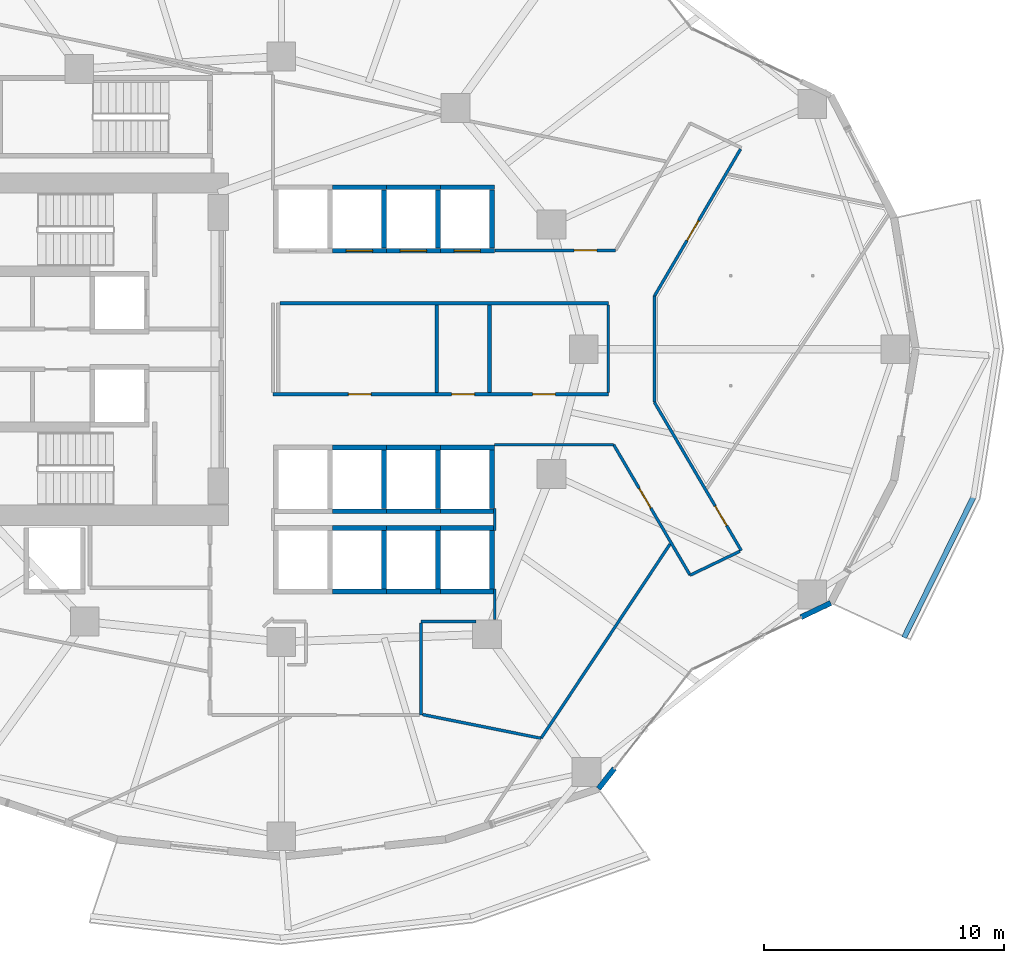
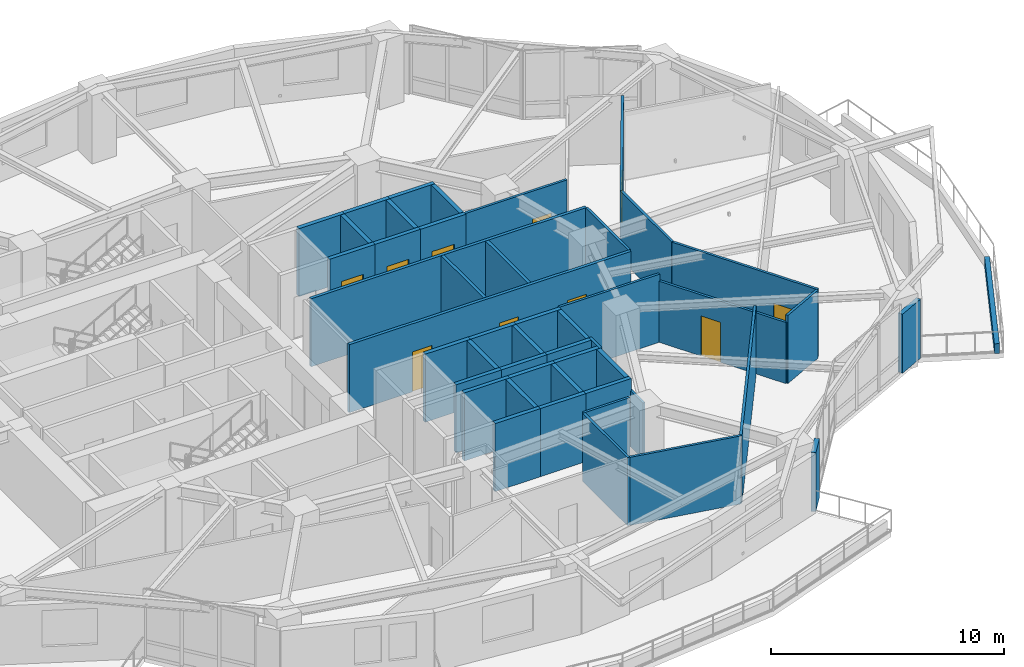
# One storey, part 10 of 18: 48 walls, 10 doors, 10 openings.
"""IFC4 building model written with IfcOpenShell, lengths in metres."""

from ifc_helpers import new_model, si_unit, direction, frame, frame_2d, origin, place, context, subcontext, project, spatial, rectangle, extrude, material, layer, layer_set, type_object, element, fill, save


model = new_model("IFC4")

# Units and contexts
model_context = context("Model", 3, precision=1e-05, world=origin(), true_north=direction((0.0, 1.0)))
body_context = subcontext(model_context, "Body", "Model", "MODEL_VIEW")
ifc_project = project(units=[si_unit("LENGTHUNIT", "METRE"), si_unit("AREAUNIT", "SQUARE_METRE"), si_unit("VOLUMEUNIT", "CUBIC_METRE"), si_unit("PLANEANGLEUNIT", "RADIAN"), si_unit("MASSUNIT", "GRAM", prefix="KILO")], contexts=[model_context])

# Site, building, storey
site_placement = place(None, origin())
site = spatial("IfcSite", under=ifc_project, at=site_placement, CompositionType="ELEMENT")
building_placement = place(site_placement, origin())
building = spatial("IfcBuilding", under=site, at=building_placement, Name="Kolvaren Gate Tower and Convention Centre", CompositionType="ELEMENT")
storey_placement = place(building_placement, frame((0.0, 0.0, 61.14990234375)))
storey = spatial("IfcBuildingStorey", under=building, at=storey_placement, Name="L14", CompositionType="ELEMENT", Elevation=61.14990234375)

# Walls
ifc_material_1 = material(Name="Fire-Rated Acoustic Gypsum Stud Partition", Category="gypsum")
ifc_layer_1 = layer(ifc_material_1, 0.1201171875)
ifc_layer_set_1 = layer_set([ifc_layer_1], Name="Fire-Rated Acoustic Gypsum Stud Partition")
wall_type_1 = type_object("IfcWallType", Name="ARCH-WL-PART-120", PredefinedType="PARTITIONING", material=ifc_layer_set_1)
wall_1_placement = place(storey_placement, frame((35.949951171875, 15.64990234375, 0.0), z_axis=(0.0, 0.0, 1.0), x_axis=(1.0, 0.0, 0.0)))
element("IfcWall", 1, at=wall_1_placement, inside=storey, type_object=wall_type_1, Name="Interior Partition WL-L14-INT-018", PredefinedType="PARTITIONING", context=body_context, shape_type="SweptSolid", body=[
    extrude(rectangle(XDim=2.291015625, YDim=0.1201171875, at=frame_2d((1.1455078125, 0.0))), origin(), (0.0, 0.0, 1.0), 3.570068359375),
])
wall_2_placement = place(storey_placement, frame((35.949951171875, 11.75, 0.0), z_axis=(0.0, 0.0, 1.0), x_axis=(0.0, 1.0, 0.0)))
element("IfcWall", 2, at=wall_2_placement, inside=storey, type_object=wall_type_1, Name="Interior Partition WL-L14-INT-019", PredefinedType="PARTITIONING", context=body_context, shape_type="SweptSolid", body=[
    extrude(rectangle(XDim=3.837890625, YDim=0.1201171875, at=frame_2d((1.9189453125, 0.0))), origin(), (0.0, 0.0, 1.0), 3.570068359375),
])

# Wall, opening, door
wall_3_placement = place(storey_placement, frame((39.02001953125, 31.1201171875, 0.0), z_axis=(0.0, 0.0, 1.0), x_axis=(1.0, 0.0, 0.0)))
wall_3 = element("IfcWall", 3, at=wall_3_placement, inside=storey, type_object=wall_type_1, Name="Interior Partition WL-L14-INT-026", PredefinedType="PARTITIONING", context=body_context, shape_type="SweptSolid", body=[
    extrude(rectangle(XDim=5.035888671875, YDim=0.1201171875, at=frame_2d((2.51806640625, 0.0))), origin(), (0.0, 0.0, 1.0), 3.570068359375),
])
opening_1_placement = place(wall_3_placement, frame((3.302978515625, 0.0, 0.0)))
opening_1 = element("IfcOpeningElement", 4, at=opening_1_placement, cuts=wall_3, Name="Opening DR-01", PredefinedType="OPENING", context=body_context, shape_type="SweptSolid", body=[
    extrude(rectangle(XDim=0.949951171875, YDim=2.10009765625, at=frame_2d((0.47509765625, 1.050048828125))), frame((0.0, 0.070068359375, 0.0), z_axis=(0.0, -1.0, 0.0), x_axis=(1.0, 0.0, 0.0)), (0.0, 0.0, 1.0), 0.14013671875),
])
ifc_material_2 = material(Name="Painted Architectural Steelwork ASTM A500 Grade C 345 MPa", Category="steel")
door_type_1 = type_object("IfcDoorType", Name="ARCH-DR-RISER-950", OperationType="SINGLE_SWING_RIGHT", PredefinedType="DOOR", material=ifc_material_2)
door_1_placement = place(opening_1_placement, origin())
door_1 = element("IfcDoor", 5, at=door_1_placement, inside=storey, type_object=door_type_1, Name="Client Concierge Reception Door", OperationType="SINGLE_SWING_LEFT", OverallHeight=2.10009765625, OverallWidth=0.949951171875, PredefinedType="DOOR", context=body_context, shape_type="SweptSolid", body=[
    extrude(rectangle(XDim=0.949951171875, YDim=2.10009765625, at=frame_2d((0.47509765625, 1.050048828125))), frame((0.0, 0.02490234375, 0.0), z_axis=(0.0, -1.0, 0.0), x_axis=(1.0, 0.0, 0.0)), (0.0, 0.0, 1.0), 0.050048828125),
])
fill(opening_1, door_1)

wall_4_placement = place(storey_placement, frame((45.669921875, 29.20703125, 0.0), z_axis=(0.0, 0.0, 1.0), x_axis=(0.505582857323, 0.86277805627, 0.0)))
wall_4 = element("IfcWall", 6, at=wall_4_placement, inside=storey, type_object=wall_type_1, Name="Interior Partition WL-L14-INT-029", PredefinedType="PARTITIONING", context=body_context, shape_type="SweptSolid", body=[
    extrude(rectangle(XDim=7.107666015625, YDim=0.1201171875, at=frame_2d((3.5537109375, 0.0))), origin(), (0.0, 0.0, 1.0), 3.570068359375),
])
opening_2_placement = place(wall_4_placement, frame((2.694580078125, 0.0, 0.0)))
opening_2 = element("IfcOpeningElement", 7, at=opening_2_placement, cuts=wall_4, Name="Opening DR-01", PredefinedType="OPENING", context=body_context, shape_type="SweptSolid", body=[
    extrude(rectangle(XDim=0.949951171875, YDim=2.10009765625, at=frame_2d((0.47509765625, 1.050048828125))), frame((0.0, 0.070068359375, 0.0), z_axis=(0.0, -1.0, 0.0), x_axis=(1.0, 0.0, 0.0)), (0.0, 0.0, 1.0), 0.14013671875),
])
door_2_placement = place(opening_2_placement, origin())
door_2 = element("IfcDoor", 8, at=door_2_placement, inside=storey, type_object=door_type_1, Name="Materials Exhibition Boutique Door", OperationType="SINGLE_SWING_RIGHT", OverallHeight=2.10009765625, OverallWidth=0.949951171875, PredefinedType="DOOR", context=body_context, shape_type="SweptSolid", body=[
    extrude(rectangle(XDim=0.949951171875, YDim=2.10009765625, at=frame_2d((0.47509765625, 1.050048828125))), frame((0.0, 0.02490234375, 0.0), z_axis=(0.0, -1.0, 0.0), x_axis=(1.0, 0.0, 0.0)), (0.0, 0.0, 1.0), 0.050048828125),
])
fill(opening_2, door_2)

# Wall
wall_5_placement = place(storey_placement, frame((45.669921875, 24.79296875, 0.0), z_axis=(0.0, 0.0, 1.0), x_axis=(0.0, 1.0, 0.0)))
element("IfcWall", 9, at=wall_5_placement, inside=storey, type_object=wall_type_1, Name="Interior Partition WL-L14-INT-030", PredefinedType="PARTITIONING", context=body_context, shape_type="SweptSolid", body=[
    extrude(rectangle(XDim=4.4140625, YDim=0.1201171875, at=frame_2d((2.20703125, 0.0))), origin(), (0.0, 0.0, 1.0), 3.570068359375),
])

# Wall, opening, door
wall_6_placement = place(storey_placement, frame((45.669921875, 24.79296875, 0.0), z_axis=(0.0, 0.0, 1.0), x_axis=(0.505584917928, -0.862776848764, 0.0)))
wall_6 = element("IfcWall", 10, at=wall_6_placement, inside=storey, type_object=wall_type_1, Name="Interior Partition WL-L14-INT-031", PredefinedType="PARTITIONING", context=body_context, shape_type="SweptSolid", body=[
    extrude(rectangle(XDim=7.169921875, YDim=0.1201171875, at=frame_2d((3.5849609375, 0.0))), origin(), (0.0, 0.0, 1.0), 3.570068359375),
])
opening_3_placement = place(wall_6_placement, frame((5.015869140625, 0.0, 0.0)))
opening_3 = element("IfcOpeningElement", 11, at=opening_3_placement, cuts=wall_6, Name="Opening DR-01", PredefinedType="OPENING", context=body_context, shape_type="SweptSolid", body=[
    extrude(rectangle(XDim=0.949951171875, YDim=2.10009765625, at=frame_2d((0.47509765625, 1.050048828125))), frame((0.0, 0.070068359375, 0.0), z_axis=(0.0, -1.0, 0.0), x_axis=(1.0, 0.0, 0.0)), (0.0, 0.0, 1.0), 0.14013671875),
])
door_3_placement = place(opening_3_placement, origin())
door_3 = element("IfcDoor", 12, at=door_3_placement, inside=storey, type_object=door_type_1, Name="Staff Dining and Bistro Cafe Door", OperationType="SINGLE_SWING_RIGHT", OverallHeight=2.10009765625, OverallWidth=0.949951171875, PredefinedType="DOOR", context=body_context, shape_type="SweptSolid", body=[
    extrude(rectangle(XDim=0.949951171875, YDim=2.10009765625, at=frame_2d((0.47509765625, 1.050048828125))), frame((0.0, 0.02490234375, 0.0), z_axis=(0.0, -1.0, 0.0), x_axis=(1.0, 0.0, 0.0)), (0.0, 0.0, 1.0), 0.050048828125),
])
fill(opening_3, door_3)

# Wall
wall_7_placement = place(storey_placement, frame((47.160888671875, 17.5810546875, 0.0), z_axis=(0.0, 0.0, 1.0), x_axis=(0.901265146481, 0.433267972204, 0.0)))
element("IfcWall", 13, at=wall_7_placement, inside=storey, type_object=wall_type_1, Name="Interior Partition WL-L14-INT-032", PredefinedType="PARTITIONING", context=body_context, shape_type="SweptSolid", body=[
    extrude(rectangle(XDim=2.305908203125, YDim=0.1201171875, at=frame_2d((1.15283203125, 0.0))), origin(), (0.0, 0.0, 1.0), 3.570068359375),
])

# Wall, opening, door
wall_8_placement = place(storey_placement, frame((43.97412109375, 23.02001953125, 0.0), z_axis=(0.0, 0.0, 1.0), x_axis=(0.505531634194, -0.862808070679, 0.0)))
wall_8 = element("IfcWall", 14, at=wall_8_placement, inside=storey, type_object=wall_type_1, Name="Interior Partition WL-L14-INT-033", PredefinedType="PARTITIONING", context=body_context, shape_type="SweptSolid", body=[
    extrude(rectangle(XDim=6.3037109375, YDim=0.1201171875, at=frame_2d((3.15185546875, 0.0))), origin(), (0.0, 0.0, 1.0), 3.205078125),
])
opening_4_placement = place(wall_8_placement, frame((2.108642578125, 0.0, 0.0)))
opening_4 = element("IfcOpeningElement", 15, at=opening_4_placement, cuts=wall_8, Name="Opening DR-01", PredefinedType="OPENING", context=body_context, shape_type="SweptSolid", body=[
    extrude(rectangle(XDim=0.949951171875, YDim=2.10009765625, at=frame_2d((0.47509765625, 1.050048828125))), frame((0.0, 0.070068359375, 0.0), z_axis=(0.0, -1.0, 0.0), x_axis=(1.0, 0.0, 0.0)), (0.0, 0.0, 1.0), 0.14013671875),
])
door_4_placement = place(opening_4_placement, origin())
door_4 = element("IfcDoor", 16, at=door_4_placement, inside=storey, type_object=door_type_1, Name="Client Concierge Reception Door", OperationType="SINGLE_SWING_LEFT", OverallHeight=2.10009765625, OverallWidth=0.949951171875, PredefinedType="DOOR", context=body_context, shape_type="SweptSolid", body=[
    extrude(rectangle(XDim=0.949951171875, YDim=2.10009765625, at=frame_2d((0.47509765625, 1.050048828125))), frame((0.0, 0.02490234375, 0.0), z_axis=(0.0, -1.0, 0.0), x_axis=(1.0, 0.0, 0.0)), (0.0, 0.0, 1.0), 0.050048828125),
])
fill(opening_4, door_4)

# Walls
wall_9_placement = place(storey_placement, frame((39.0, 23.02001953125, 0.0), z_axis=(0.0, 0.0, 1.0), x_axis=(1.0, 0.0, 0.0)))
element("IfcWall", 17, at=wall_9_placement, inside=storey, type_object=wall_type_1, Name="Interior Partition WL-L14-INT-034", PredefinedType="PARTITIONING", context=body_context, shape_type="SweptSolid", body=[
    extrude(rectangle(XDim=4.97412109375, YDim=0.1201171875, at=frame_2d((2.487060546875, 0.0))), origin(), (0.0, 0.0, 1.0), 3.570068359375),
])
wall_10_placement = place(storey_placement, frame((39.02001953125, 15.741943359375, 0.0), z_axis=(0.0, 0.0, 1.0), x_axis=(0.0, 1.0, 0.0)))
element("IfcWall", 18, at=wall_10_placement, inside=storey, type_object=wall_type_1, Name="Interior Partition WL-L14-INT-035", PredefinedType="PARTITIONING", context=body_context, shape_type="SweptSolid", body=[
    extrude(rectangle(XDim=1.26806640625, YDim=0.1201171875, at=frame_2d((0.634033203125, 0.0))), origin(), (0.0, 0.0, 1.0), 2.93408203125),
])
wall_11_placement = place(storey_placement, frame((39.02001953125, 19.43994140625, 0.0), z_axis=(0.0, 0.0, 1.0), x_axis=(0.0, 1.0, 0.0)))
element("IfcWall", 19, at=wall_11_placement, inside=storey, type_object=wall_type_1, Name="Interior Partition WL-L14-INT-035 (2)", PredefinedType="PARTITIONING", context=body_context, shape_type="SweptSolid", body=[
    extrude(rectangle(XDim=0.920166015625, YDim=0.1201171875, at=frame_2d((0.4599609375, 0.0))), origin(), (0.0, 0.0, 1.0), 3.570068359375),
])
wall_12_placement = place(storey_placement, frame((43.75, 25.197021484375, 0.0), z_axis=(0.0, 0.0, 1.0), x_axis=(0.0, 1.0, 0.0)))
element("IfcWall", 20, at=wall_12_placement, inside=storey, type_object=wall_type_1, Name="Interior Partition WL-L14-INT-036", PredefinedType="PARTITIONING", context=body_context, shape_type="SweptSolid", body=[
    extrude(rectangle(XDim=3.64599609375, YDim=0.1201171875, at=frame_2d((1.822998046875, 0.0))), origin(), (0.0, 0.0, 1.0), 3.570068359375),
])
wall_13_placement = place(storey_placement, frame((36.011962890625, 11.772705078125, 0.0), z_axis=(0.0, 0.0, 1.0), x_axis=(0.980526579604, -0.196386421855, 0.0)))
element("IfcWall", 21, at=wall_13_placement, inside=storey, type_object=wall_type_1, Name="Interior Partition WL-L14-INT-041", PredefinedType="PARTITIONING", context=body_context, shape_type="SweptSolid", body=[
    extrude(rectangle(XDim=5.037353515625, YDim=0.1201171875, at=frame_2d((2.5185546875, 0.0))), origin(), (0.0, 0.0, 1.0), 3.570068359375),
])
wall_14_placement = place(storey_placement, frame((40.950927734375, 10.783203125, 0.0), z_axis=(0.0, 0.0, 1.0), x_axis=(0.553122636923, 0.83309984307, 0.0)))
element("IfcWall", 22, at=wall_14_placement, inside=storey, type_object=wall_type_1, Name="Interior Partition WL-L14-INT-043 (2)", PredefinedType="PARTITIONING", context=body_context, shape_type="SweptSolid", body=[
    extrude(rectangle(XDim=9.72021484375, YDim=0.1201171875, at=frame_2d((4.860107421875, 0.0))), origin(), (0.0, 0.0, 1.0), 3.570068359375),
])
ifc_material_3 = material(Name="Bogota Sabana Bush-Hammered Sandstone Cladding", Category="masonry")
ifc_layer_2 = layer(ifc_material_3, 0.219970703125)
ifc_layer_set_2 = layer_set([ifc_layer_2], Name="Bogota Sabana Bush-Hammered Sandstone Cladding")
wall_type_2 = type_object("IfcWallType", Name="ARCH-WL-PIER-220", PredefinedType="SOLIDWALL", material=ifc_layer_set_2)
wall_15_placement = place(storey_placement, frame((43.34375, 8.68359375, 0.0), z_axis=(0.0, 0.0, 1.0), x_axis=(0.616387780378, 0.787442762492, 0.0)))
element("IfcWall", 23, at=wall_15_placement, inside=storey, type_object=wall_type_2, Name="Tower L14 Unitised Curtain Wall CW-OFF-UNIT Bay 20 Left Column Pier Wrap", PredefinedType="SOLIDWALL", context=body_context, shape_type="SweptSolid", body=[
    extrude(rectangle(XDim=1.076171875, YDim=0.219970703125, at=frame_2d((0.5380859375, 0.0))), origin(), (0.0, 0.0, 1.0), 3.093017578125),
])
wall_16_placement = place(storey_placement, frame((51.77587890625, 15.826904296875, 0.0), z_axis=(0.0, 0.0, 1.0), x_axis=(0.90131879969, 0.433156347438, 0.0)))
element("IfcWall", 24, at=wall_16_placement, inside=storey, type_object=wall_type_2, Name="Tower L14 Unitised Curtain Wall CW-OFF-UNIT Bay 21 Right Column Pier Wrap", PredefinedType="SOLIDWALL", context=body_context, shape_type="SweptSolid", body=[
    extrude(rectangle(XDim=1.380859375, YDim=0.219970703125, at=frame_2d((0.6904296875, 0.0))), origin(), (0.0, 0.0, 1.0), 3.093017578125),
])
ifc_material_4 = material(Name="Piedmont Cream Honed Limestone Cladding", Category="masonry")
ifc_layer_3 = layer(ifc_material_4, 0.219970703125)
ifc_layer_set_3 = layer_set([ifc_layer_3], Name="Piedmont Cream Honed Limestone Cladding")
wall_type_3 = type_object("IfcWallType", Name="ARCH-WL-PLANTER-220", PredefinedType="PARAPET", material=ifc_layer_set_3)
wall_17_placement = place(storey_placement, frame((56.077392578125, 14.978515625, 0.0), z_axis=(0.0, 0.0, 1.0), x_axis=(0.442686636348, 0.89667638644, 0.0)))
element("IfcWall", 25, at=wall_17_placement, inside=storey, type_object=wall_type_3, Name="Vertical-Forest Balcony Stone Planter Kerb PK-L14-4.1", PredefinedType="PARAPET", context=body_context, shape_type="SweptSolid", body=[
    extrude(rectangle(XDim=6.544677734375, YDim=0.219970703125, at=frame_2d((3.2724609375, 0.0))), origin(), (0.0, 0.0, 1.0), 0.52001953125),
])
ifc_material_5 = material(Name="Autoclaved Aerated Masonry Blockwork Class 4 (4.0 MPa)", Category="masonry")
ifc_layer_4 = layer(ifc_material_5, 0.199951171875)
ifc_layer_set_4 = layer_set([ifc_layer_4], Name="Autoclaved Aerated Masonry Blockwork Class 4 (4.0 MPa)")
wall_type_4 = type_object("IfcWallType", Name="ARCH-WL-SHAFT-200", PredefinedType="SOLIDWALL", material=ifc_layer_set_4)
wall_18_placement = place(storey_placement, frame((32.25, 33.75, 0.0), z_axis=(0.0, 0.0, 1.0), x_axis=(1.0, 0.0, 0.0)))
element("IfcWall", 26, at=wall_18_placement, inside=storey, type_object=wall_type_4, Name="Elevator PL-02 L14 Fire Shaft Wall N", PredefinedType="SOLIDWALL", context=body_context, shape_type="SweptSolid", body=[
    extrude(rectangle(XDim=2.25, YDim=0.199951171875, at=frame_2d((1.125, 0.0))), origin(), (0.0, 0.0, 1.0), 3.570068359375),
])

# Wall, opening, door
wall_19_placement = place(storey_placement, frame((32.25, 31.10009765625, 0.0), z_axis=(0.0, 0.0, 1.0), x_axis=(1.0, 0.0, 0.0)))
wall_19 = element("IfcWall", 27, at=wall_19_placement, inside=storey, type_object=wall_type_4, Name="Elevator PL-02 L14 Fire Shaft Wall S", PredefinedType="SOLIDWALL", context=body_context, shape_type="SweptSolid", body=[
    extrude(rectangle(XDim=2.25, YDim=0.199951171875, at=frame_2d((1.125, 0.0))), origin(), (0.0, 0.0, 1.0), 3.570068359375),
])
opening_5_placement = place(wall_19_placement, frame((0.574951171875, 0.0, 0.0)))
opening_5 = element("IfcOpeningElement", 28, at=opening_5_placement, cuts=wall_19, Name="Opening LD", PredefinedType="OPENING", context=body_context, shape_type="SweptSolid", body=[
    extrude(rectangle(XDim=1.10009765625, YDim=2.199951171875, at=frame_2d((0.550048828125, 1.10009765625))), frame((0.0, 0.10986328125, 0.0), z_axis=(0.0, -1.0, 0.0), x_axis=(1.0, 0.0, 0.0)), (0.0, 0.0, 1.0), 0.219970703125),
])
ifc_material_6 = material(Name="Brushed Stainless Steel Grade 316L", Category="steel")
door_type_2 = type_object("IfcDoorType", Name="ARCH-DR-LIFT-1100", OperationType="SLIDING_TO_LEFT", PredefinedType="DOOR", material=ifc_material_6)
door_5_placement = place(opening_5_placement, origin())
door_5 = element("IfcDoor", 29, at=door_5_placement, inside=storey, type_object=door_type_2, Name="Elevator PL-02 L14 Sliding Landing Door", OperationType="SLIDING_TO_LEFT", OverallHeight=2.199951171875, OverallWidth=1.10009765625, PredefinedType="DOOR", context=body_context, shape_type="SweptSolid", body=[
    extrude(rectangle(XDim=1.10009765625, YDim=2.199951171875, at=frame_2d((0.550048828125, 1.10009765625))), frame((0.0, 0.02490234375, 0.0), z_axis=(0.0, -1.0, 0.0), x_axis=(1.0, 0.0, 0.0)), (0.0, 0.0, 1.0), 0.050048828125),
])
fill(opening_5, door_5)

# Walls
wall_20_placement = place(storey_placement, frame((34.39990234375, 31.2099609375, 0.0), z_axis=(0.0, 0.0, 1.0), x_axis=(0.0, 1.0, 0.0)))
element("IfcWall", 30, at=wall_20_placement, inside=storey, type_object=wall_type_4, Name="Elevator PL-02 L14 Fire Shaft Wall E", PredefinedType="SOLIDWALL", context=body_context, shape_type="SweptSolid", body=[
    extrude(rectangle(XDim=2.429931640625, YDim=0.199951171875, at=frame_2d((1.21484375, 0.0))), origin(), (0.0, 0.0, 1.0), 3.570068359375),
])
wall_21_placement = place(storey_placement, frame((34.5, 33.75, 0.0), z_axis=(0.0, 0.0, 1.0), x_axis=(1.0, 0.0, 0.0)))
element("IfcWall", 31, at=wall_21_placement, inside=storey, type_object=wall_type_4, Name="Elevator PL-03 L14 Fire Shaft Wall N", PredefinedType="SOLIDWALL", context=body_context, shape_type="SweptSolid", body=[
    extrude(rectangle(XDim=2.25, YDim=0.199951171875, at=frame_2d((1.125, 0.0))), origin(), (0.0, 0.0, 1.0), 3.570068359375),
])

# Wall, opening, door
wall_22_placement = place(storey_placement, frame((34.5, 31.10009765625, 0.0), z_axis=(0.0, 0.0, 1.0), x_axis=(1.0, 0.0, 0.0)))
wall_22 = element("IfcWall", 32, at=wall_22_placement, inside=storey, type_object=wall_type_4, Name="Elevator PL-03 L14 Fire Shaft Wall S", PredefinedType="SOLIDWALL", context=body_context, shape_type="SweptSolid", body=[
    extrude(rectangle(XDim=2.25, YDim=0.199951171875, at=frame_2d((1.125, 0.0))), origin(), (0.0, 0.0, 1.0), 3.570068359375),
])
opening_6_placement = place(wall_22_placement, frame((0.574951171875, 0.0, 0.0)))
opening_6 = element("IfcOpeningElement", 33, at=opening_6_placement, cuts=wall_22, Name="Opening LD", PredefinedType="OPENING", context=body_context, shape_type="SweptSolid", body=[
    extrude(rectangle(XDim=1.10009765625, YDim=2.199951171875, at=frame_2d((0.550048828125, 1.10009765625))), frame((0.0, 0.10986328125, 0.0), z_axis=(0.0, -1.0, 0.0), x_axis=(1.0, 0.0, 0.0)), (0.0, 0.0, 1.0), 0.219970703125),
])
door_6_placement = place(opening_6_placement, origin())
door_6 = element("IfcDoor", 34, at=door_6_placement, inside=storey, type_object=door_type_2, Name="Elevator PL-03 L14 Sliding Landing Door", OperationType="SLIDING_TO_LEFT", OverallHeight=2.199951171875, OverallWidth=1.10009765625, PredefinedType="DOOR", context=body_context, shape_type="SweptSolid", body=[
    extrude(rectangle(XDim=1.10009765625, YDim=2.199951171875, at=frame_2d((0.550048828125, 1.10009765625))), frame((0.0, 0.02490234375, 0.0), z_axis=(0.0, -1.0, 0.0), x_axis=(1.0, 0.0, 0.0)), (0.0, 0.0, 1.0), 0.050048828125),
])
fill(opening_6, door_6)

# Walls
wall_23_placement = place(storey_placement, frame((36.64990234375, 31.2099609375, 0.0), z_axis=(0.0, 0.0, 1.0), x_axis=(0.0, 1.0, 0.0)))
element("IfcWall", 35, at=wall_23_placement, inside=storey, type_object=wall_type_4, Name="Elevator PL-03 L14 Fire Shaft Wall E", PredefinedType="SOLIDWALL", context=body_context, shape_type="SweptSolid", body=[
    extrude(rectangle(XDim=2.429931640625, YDim=0.199951171875, at=frame_2d((1.21484375, 0.0))), origin(), (0.0, 0.0, 1.0), 3.570068359375),
])
wall_24_placement = place(storey_placement, frame((36.75, 33.75, 0.0), z_axis=(0.0, 0.0, 1.0), x_axis=(1.0, 0.0, 0.0)))
element("IfcWall", 36, at=wall_24_placement, inside=storey, type_object=wall_type_4, Name="Elevator PL-04 L14 Fire Shaft Wall N", PredefinedType="SOLIDWALL", context=body_context, shape_type="SweptSolid", body=[
    extrude(rectangle(XDim=2.25, YDim=0.199951171875, at=frame_2d((1.125, 0.0))), origin(), (0.0, 0.0, 1.0), 3.570068359375),
])

# Wall, opening, door
wall_25_placement = place(storey_placement, frame((36.75, 31.10009765625, 0.0), z_axis=(0.0, 0.0, 1.0), x_axis=(1.0, 0.0, 0.0)))
wall_25 = element("IfcWall", 37, at=wall_25_placement, inside=storey, type_object=wall_type_4, Name="Elevator PL-04 L14 Fire Shaft Wall S", PredefinedType="SOLIDWALL", context=body_context, shape_type="SweptSolid", body=[
    extrude(rectangle(XDim=2.25, YDim=0.199951171875, at=frame_2d((1.125, 0.0))), origin(), (0.0, 0.0, 1.0), 3.570068359375),
])
opening_7_placement = place(wall_25_placement, frame((0.574951171875, 0.0, 0.0)))
opening_7 = element("IfcOpeningElement", 38, at=opening_7_placement, cuts=wall_25, Name="Opening LD", PredefinedType="OPENING", context=body_context, shape_type="SweptSolid", body=[
    extrude(rectangle(XDim=1.10009765625, YDim=2.199951171875, at=frame_2d((0.550048828125, 1.10009765625))), frame((0.0, 0.10986328125, 0.0), z_axis=(0.0, -1.0, 0.0), x_axis=(1.0, 0.0, 0.0)), (0.0, 0.0, 1.0), 0.219970703125),
])
door_7_placement = place(opening_7_placement, origin())
door_7 = element("IfcDoor", 39, at=door_7_placement, inside=storey, type_object=door_type_2, Name="Elevator PL-04 L14 Sliding Landing Door", OperationType="SLIDING_TO_LEFT", OverallHeight=2.199951171875, OverallWidth=1.10009765625, PredefinedType="DOOR", context=body_context, shape_type="SweptSolid", body=[
    extrude(rectangle(XDim=1.10009765625, YDim=2.199951171875, at=frame_2d((0.550048828125, 1.10009765625))), frame((0.0, 0.02490234375, 0.0), z_axis=(0.0, -1.0, 0.0), x_axis=(1.0, 0.0, 0.0)), (0.0, 0.0, 1.0), 0.050048828125),
])
fill(opening_7, door_7)

# Walls
wall_26_placement = place(storey_placement, frame((38.89990234375, 31.2099609375, 0.0), z_axis=(0.0, 0.0, 1.0), x_axis=(0.0, 1.0, 0.0)))
element("IfcWall", 40, at=wall_26_placement, inside=storey, type_object=wall_type_4, Name="Elevator PL-04 L14 Fire Shaft Wall E", PredefinedType="SOLIDWALL", context=body_context, shape_type="SweptSolid", body=[
    extrude(rectangle(XDim=2.429931640625, YDim=0.199951171875, at=frame_2d((1.21484375, 0.0))), origin(), (0.0, 0.0, 1.0), 3.570068359375),
])
for number, where, z_axis, x_axis, name in (
    (41, (32.25, 19.550048828125, 0.0), (0.0, 0.0, 1.0), (1.0, 0.0, 0.0), "Elevator PL-06 L14 Fire Shaft Wall N"),
    (42, (32.25, 16.89990234375, 0.0), (0.0, 0.0, 1.0), (1.0, 0.0, 0.0), "Elevator PL-06 L14 Fire Shaft Wall S"),
):
    element("IfcWall", number, at=place(storey_placement, frame(where, z_axis=z_axis, x_axis=x_axis)), inside=storey, type_object=wall_type_4, Name=name, PredefinedType="SOLIDWALL", context=body_context, shape_type="SweptSolid", body=[
        extrude(rectangle(XDim=2.25, YDim=0.199951171875, at=frame_2d((1.125, 0.0))), origin(), (0.0, 0.0, 1.0), 3.570068359375),
    ])
wall_27_placement = place(storey_placement, frame((34.39990234375, 17.010009765625, 0.0), z_axis=(0.0, 0.0, 1.0), x_axis=(0.0, 1.0, 0.0)))
element("IfcWall", 43, at=wall_27_placement, inside=storey, type_object=wall_type_4, Name="Elevator PL-06 L14 Fire Shaft Wall E", PredefinedType="SOLIDWALL", context=body_context, shape_type="SweptSolid", body=[
    extrude(rectangle(XDim=2.429931640625, YDim=0.199951171875, at=frame_2d((1.21484375, 0.0))), origin(), (0.0, 0.0, 1.0), 3.570068359375),
])
for number, where, z_axis, x_axis, name in (
    (44, (34.5, 19.550048828125, 0.0), (0.0, 0.0, 1.0), (1.0, 0.0, 0.0), "Elevator PL-07 L14 Fire Shaft Wall N"),
    (45, (34.5, 16.89990234375, 0.0), (0.0, 0.0, 1.0), (1.0, 0.0, 0.0), "Elevator PL-07 L14 Fire Shaft Wall S"),
):
    element("IfcWall", number, at=place(storey_placement, frame(where, z_axis=z_axis, x_axis=x_axis)), inside=storey, type_object=wall_type_4, Name=name, PredefinedType="SOLIDWALL", context=body_context, shape_type="SweptSolid", body=[
        extrude(rectangle(XDim=2.25, YDim=0.199951171875, at=frame_2d((1.125, 0.0))), origin(), (0.0, 0.0, 1.0), 3.570068359375),
    ])
wall_28_placement = place(storey_placement, frame((36.64990234375, 17.010009765625, 0.0), z_axis=(0.0, 0.0, 1.0), x_axis=(0.0, 1.0, 0.0)))
element("IfcWall", 46, at=wall_28_placement, inside=storey, type_object=wall_type_4, Name="Elevator PL-07 L14 Fire Shaft Wall E", PredefinedType="SOLIDWALL", context=body_context, shape_type="SweptSolid", body=[
    extrude(rectangle(XDim=2.429931640625, YDim=0.199951171875, at=frame_2d((1.21484375, 0.0))), origin(), (0.0, 0.0, 1.0), 3.570068359375),
])
for number, where, z_axis, x_axis, name in (
    (47, (36.75, 19.550048828125, 0.0), (0.0, 0.0, 1.0), (1.0, 0.0, 0.0), "Elevator PL-08 L14 Fire Shaft Wall N"),
    (48, (36.75, 16.89990234375, 0.0), (0.0, 0.0, 1.0), (1.0, 0.0, 0.0), "Elevator PL-08 L14 Fire Shaft Wall S"),
):
    element("IfcWall", number, at=place(storey_placement, frame(where, z_axis=z_axis, x_axis=x_axis)), inside=storey, type_object=wall_type_4, Name=name, PredefinedType="SOLIDWALL", context=body_context, shape_type="SweptSolid", body=[
        extrude(rectangle(XDim=2.25, YDim=0.199951171875, at=frame_2d((1.125, 0.0))), origin(), (0.0, 0.0, 1.0), 3.570068359375),
    ])
wall_29_placement = place(storey_placement, frame((38.89990234375, 17.010009765625, 0.0), z_axis=(0.0, 0.0, 1.0), x_axis=(0.0, 1.0, 0.0)))
element("IfcWall", 49, at=wall_29_placement, inside=storey, type_object=wall_type_4, Name="Elevator PL-08 L14 Fire Shaft Wall E", PredefinedType="SOLIDWALL", context=body_context, shape_type="SweptSolid", body=[
    extrude(rectangle(XDim=2.429931640625, YDim=0.199951171875, at=frame_2d((1.21484375, 0.0))), origin(), (0.0, 0.0, 1.0), 3.570068359375),
])
for number, where, z_axis, x_axis, name in (
    (50, (32.25, 22.89990234375, 0.0), (0.0, 0.0, 1.0), (1.0, 0.0, 0.0), "Elevator PL-10 L14 Fire Shaft Wall N"),
    (51, (32.25, 20.25, 0.0), (0.0, 0.0, 1.0), (1.0, 0.0, 0.0), "Elevator PL-10 L14 Fire Shaft Wall S"),
):
    element("IfcWall", number, at=place(storey_placement, frame(where, z_axis=z_axis, x_axis=x_axis)), inside=storey, type_object=wall_type_4, Name=name, PredefinedType="SOLIDWALL", context=body_context, shape_type="SweptSolid", body=[
        extrude(rectangle(XDim=2.25, YDim=0.199951171875, at=frame_2d((1.125, 0.0))), origin(), (0.0, 0.0, 1.0), 3.570068359375),
    ])
wall_30_placement = place(storey_placement, frame((34.39990234375, 20.360107421875, 0.0), z_axis=(0.0, 0.0, 1.0), x_axis=(0.0, 1.0, 0.0)))
element("IfcWall", 52, at=wall_30_placement, inside=storey, type_object=wall_type_4, Name="Elevator PL-10 L14 Fire Shaft Wall E", PredefinedType="SOLIDWALL", context=body_context, shape_type="SweptSolid", body=[
    extrude(rectangle(XDim=2.429931640625, YDim=0.199951171875, at=frame_2d((1.21484375, 0.0))), origin(), (0.0, 0.0, 1.0), 3.570068359375),
])
for number, where, z_axis, x_axis, name in (
    (53, (34.5, 22.89990234375, 0.0), (0.0, 0.0, 1.0), (1.0, 0.0, 0.0), "Elevator PL-11 L14 Fire Shaft Wall N"),
    (54, (34.5, 20.25, 0.0), (0.0, 0.0, 1.0), (1.0, 0.0, 0.0), "Elevator PL-11 L14 Fire Shaft Wall S"),
):
    element("IfcWall", number, at=place(storey_placement, frame(where, z_axis=z_axis, x_axis=x_axis)), inside=storey, type_object=wall_type_4, Name=name, PredefinedType="SOLIDWALL", context=body_context, shape_type="SweptSolid", body=[
        extrude(rectangle(XDim=2.25, YDim=0.199951171875, at=frame_2d((1.125, 0.0))), origin(), (0.0, 0.0, 1.0), 3.570068359375),
    ])
wall_31_placement = place(storey_placement, frame((36.64990234375, 20.360107421875, 0.0), z_axis=(0.0, 0.0, 1.0), x_axis=(0.0, 1.0, 0.0)))
element("IfcWall", 55, at=wall_31_placement, inside=storey, type_object=wall_type_4, Name="Elevator PL-11 L14 Fire Shaft Wall E", PredefinedType="SOLIDWALL", context=body_context, shape_type="SweptSolid", body=[
    extrude(rectangle(XDim=2.429931640625, YDim=0.199951171875, at=frame_2d((1.21484375, 0.0))), origin(), (0.0, 0.0, 1.0), 3.570068359375),
])
for number, where, z_axis, x_axis, name in (
    (56, (36.75, 22.89990234375, 0.0), (0.0, 0.0, 1.0), (1.0, 0.0, 0.0), "Elevator PL-12 L14 Fire Shaft Wall N"),
    (57, (36.75, 20.25, 0.0), (0.0, 0.0, 1.0), (1.0, 0.0, 0.0), "Elevator PL-12 L14 Fire Shaft Wall S"),
):
    element("IfcWall", number, at=place(storey_placement, frame(where, z_axis=z_axis, x_axis=x_axis)), inside=storey, type_object=wall_type_4, Name=name, PredefinedType="SOLIDWALL", context=body_context, shape_type="SweptSolid", body=[
        extrude(rectangle(XDim=2.25, YDim=0.199951171875, at=frame_2d((1.125, 0.0))), origin(), (0.0, 0.0, 1.0), 3.570068359375),
    ])
wall_32_placement = place(storey_placement, frame((38.89990234375, 20.360107421875, 0.0), z_axis=(0.0, 0.0, 1.0), x_axis=(0.0, 1.0, 0.0)))
element("IfcWall", 58, at=wall_32_placement, inside=storey, type_object=wall_type_4, Name="Elevator PL-12 L14 Fire Shaft Wall E", PredefinedType="SOLIDWALL", context=body_context, shape_type="SweptSolid", body=[
    extrude(rectangle(XDim=2.429931640625, YDim=0.199951171875, at=frame_2d((1.21484375, 0.0))), origin(), (0.0, 0.0, 1.0), 3.570068359375),
])

# Wall, openings, doors
ifc_material_7 = material(Name="Moisture-Resistant Cement-Board Acoustic Partition", Category="gypsum")
ifc_layer_5 = layer(ifc_material_7, 0.14990234375)
ifc_layer_set_5 = layer_set([ifc_layer_5], Name="Moisture-Resistant Cement-Board Acoustic Partition")
wall_type_5 = type_object("IfcWallType", Name="ARCH-WL-WET-150", PredefinedType="PARTITIONING", material=ifc_layer_set_5)
wall_33_placement = place(storey_placement, frame((29.780029296875, 25.1201171875, 0.0), z_axis=(0.0, 0.0, 1.0), x_axis=(1.0, 0.0, 0.0)))
wall_33 = element("IfcWall", 59, at=wall_33_placement, inside=storey, type_object=wall_type_5, Name="Interior Partition WL-L14-INT-012", PredefinedType="PARTITIONING", context=body_context, shape_type="SweptSolid", body=[
    extrude(rectangle(XDim=13.969970703125, YDim=0.14990234375, at=frame_2d((6.98486328125, 0.0))), origin(), (0.0, 0.0, 1.0), 3.570068359375),
])
opening_8_placement = place(wall_33_placement, frame((3.139892578125, 0.0, 0.0)))
opening_8 = element("IfcOpeningElement", 60, at=opening_8_placement, cuts=wall_33, Name="Opening DR-01", PredefinedType="OPENING", context=body_context, shape_type="SweptSolid", body=[
    extrude(rectangle(XDim=0.949951171875, YDim=2.10009765625, at=frame_2d((0.47509765625, 1.050048828125))), frame((0.0, 0.0849609375, 0.0), z_axis=(0.0, -1.0, 0.0), x_axis=(1.0, 0.0, 0.0)), (0.0, 0.0, 1.0), 0.169921875),
])
opening_9_placement = place(wall_33_placement, frame((7.445068359375, 0.0, 0.0)))
opening_9 = element("IfcOpeningElement", 61, at=opening_9_placement, cuts=wall_33, Name="Opening DR-01", PredefinedType="OPENING", context=body_context, shape_type="SweptSolid", body=[
    extrude(rectangle(XDim=0.949951171875, YDim=2.10009765625, at=frame_2d((0.47509765625, 1.050048828125))), frame((0.0, 0.0849609375, 0.0), z_axis=(0.0, -1.0, 0.0), x_axis=(1.0, 0.0, 0.0)), (0.0, 0.0, 1.0), 0.169921875),
])
opening_10_placement = place(wall_33_placement, frame((10.81494140625, 0.0, 0.0)))
opening_10 = element("IfcOpeningElement", 62, at=opening_10_placement, cuts=wall_33, Name="Opening DR-01", PredefinedType="OPENING", context=body_context, shape_type="SweptSolid", body=[
    extrude(rectangle(XDim=0.949951171875, YDim=2.10009765625, at=frame_2d((0.47509765625, 1.050048828125))), frame((0.0, 0.0849609375, 0.0), z_axis=(0.0, -1.0, 0.0), x_axis=(1.0, 0.0, 0.0)), (0.0, 0.0, 1.0), 0.169921875),
])
door_8_placement = place(opening_8_placement, origin())
door_8 = element("IfcDoor", 63, at=door_8_placement, inside=storey, type_object=door_type_1, Name="Accessible Universal Washroom Door", OperationType="SINGLE_SWING_LEFT", OverallHeight=2.10009765625, OverallWidth=0.949951171875, PredefinedType="DOOR", context=body_context, shape_type="SweptSolid", body=[
    extrude(rectangle(XDim=0.949951171875, YDim=2.10009765625, at=frame_2d((0.47509765625, 1.050048828125))), frame((0.0, 0.02490234375, 0.0), z_axis=(0.0, -1.0, 0.0), x_axis=(1.0, 0.0, 0.0)), (0.0, 0.0, 1.0), 0.050048828125),
])
fill(opening_8, door_8)
door_9_placement = place(opening_9_placement, origin())
door_9 = element("IfcDoor", 64, at=door_9_placement, inside=storey, type_object=door_type_1, Name="Floor Janitor and Supply Store Door", OperationType="SINGLE_SWING_RIGHT", OverallHeight=2.10009765625, OverallWidth=0.949951171875, PredefinedType="DOOR", context=body_context, shape_type="SweptSolid", body=[
    extrude(rectangle(XDim=0.949951171875, YDim=2.10009765625, at=frame_2d((0.47509765625, 1.050048828125))), frame((0.0, 0.02490234375, 0.0), z_axis=(0.0, -1.0, 0.0), x_axis=(1.0, 0.0, 0.0)), (0.0, 0.0, 1.0), 0.050048828125),
])
fill(opening_9, door_9)
door_10_placement = place(opening_10_placement, origin())
door_10 = element("IfcDoor", 65, at=door_10_placement, inside=storey, type_object=door_type_1, Name="Bookshop Retail Kiosk Door", OperationType="SINGLE_SWING_LEFT", OverallHeight=2.10009765625, OverallWidth=0.949951171875, PredefinedType="DOOR", context=body_context, shape_type="SweptSolid", body=[
    extrude(rectangle(XDim=0.949951171875, YDim=2.10009765625, at=frame_2d((0.47509765625, 1.050048828125))), frame((0.0, 0.02490234375, 0.0), z_axis=(0.0, -1.0, 0.0), x_axis=(1.0, 0.0, 0.0)), (0.0, 0.0, 1.0), 0.050048828125),
])
fill(opening_10, door_10)

# Walls
wall_34_placement = place(storey_placement, frame((30.076904296875, 28.919921875, 0.0), z_axis=(0.0, 0.0, 1.0), x_axis=(1.0, 0.0, 0.0)))
element("IfcWall", 66, at=wall_34_placement, inside=storey, type_object=wall_type_5, Name="Interior Partition WL-L14-INT-014", PredefinedType="PARTITIONING", context=body_context, shape_type="SweptSolid", body=[
    extrude(rectangle(XDim=13.673095703125, YDim=0.14990234375, at=frame_2d((6.83642578125, 0.0))), origin(), (0.0, 0.0, 1.0), 3.570068359375),
])
for number, where, z_axis, x_axis, name in (
    (67, (36.60009765625, 25.197021484375, 0.0), (0.0, 0.0, 1.0), (0.0, 1.0, 0.0), "Interior Partition WL-L14-INT-015"),
    (68, (38.800048828125, 25.197021484375, 0.0), (0.0, 0.0, 1.0), (0.0, 1.0, 0.0), "Interior Partition WL-L14-INT-016"),
):
    element("IfcWall", number, at=place(storey_placement, frame(where, z_axis=z_axis, x_axis=x_axis)), inside=storey, type_object=wall_type_5, Name=name, PredefinedType="PARTITIONING", context=body_context, shape_type="SweptSolid", body=[
        extrude(rectangle(XDim=3.64599609375, YDim=0.14990234375, at=frame_2d((1.822998046875, 0.0))), origin(), (0.0, 0.0, 1.0), 3.570068359375),
    ])

save(model, "model.ifc")
